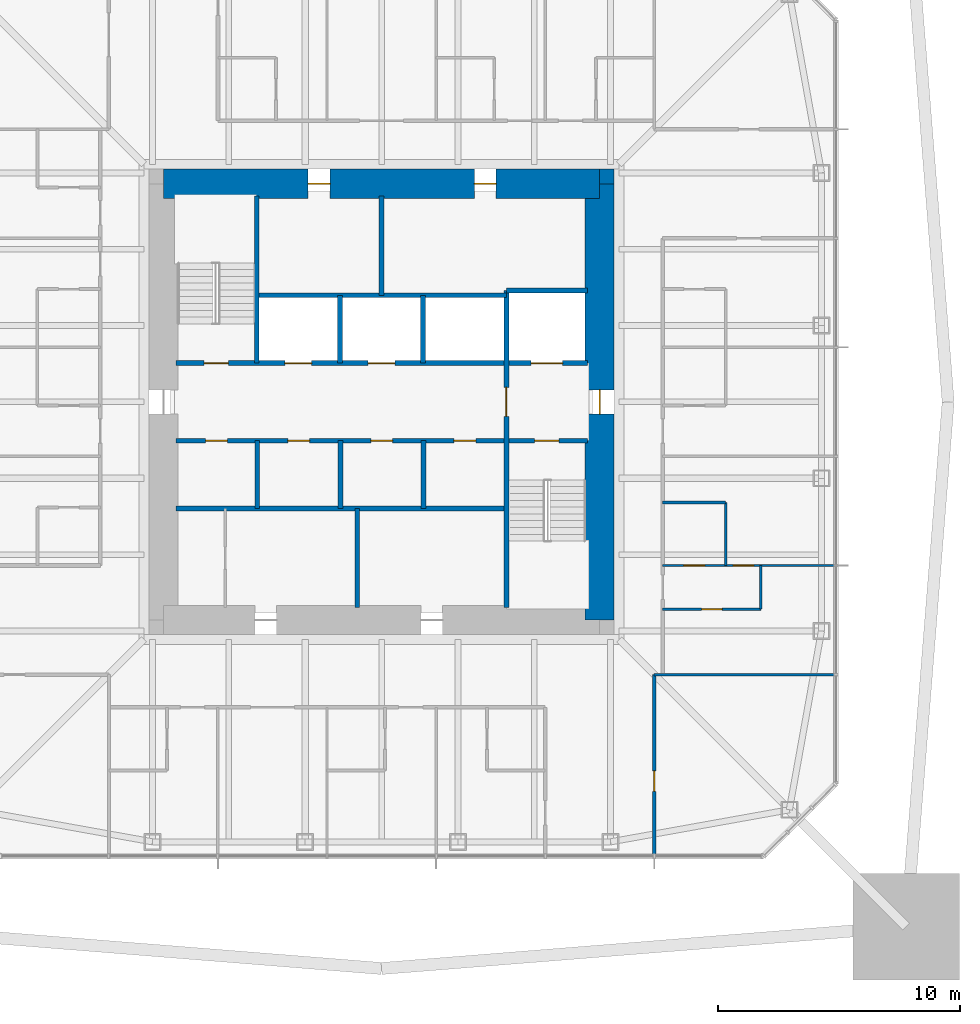
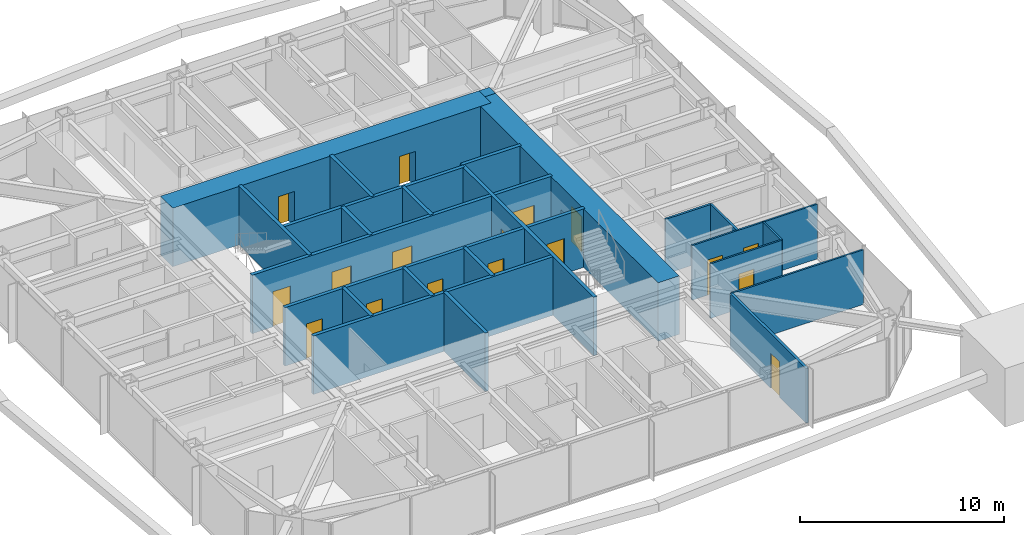
# One storey, part 9 of 13: 24 walls, 17 doors, 17 openings.
"""IFC4 building model written with IfcOpenShell, lengths in metres."""

import ifcopenshell
import ifcopenshell.guid

model = None  # the IFC model being written
_history = None  # IfcOwnerHistory: only IFC2X3 demands one
_inside = {}  # id of a spatial element -> (the spatial element, [elements in it])
_under = {}  # id of a project, library or spatial element -> (it, [spatial elements below it])
_declared = {}  # id of a project -> (the project, [libraries it declares])
_typed = {}  # id of a type object -> (the type object, [elements of that type])
_made_of = {}  # id of a material, layer set ... -> (it, [elements and type objects made of it])


def new_model(schema):
    """Start an empty IFC model of exactly this schema.

    Asked for "IFC4X3", IfcOpenShell would pick the latest addendum, in which some entities
    have other attributes; the version numbers below select the first issue.
    IFC2X3 requires an IfcOwnerHistory on every rooted entity: one is made here for all.
    """
    global model, _history
    if schema == "IFC4X3":
        model = ifcopenshell.file(schema_version=(4, 3, 0, 0))
    else:
        model = ifcopenshell.file(schema=schema)
    _inside.clear()
    _under.clear()
    _declared.clear()
    _typed.clear()
    _made_of.clear()
    _history = None
    if model.schema == "IFC2X3":
        org = make("IfcOrganization", Name="unknown")
        user = make(
            "IfcPersonAndOrganization",
            ThePerson=make("IfcPerson", FamilyName="unknown"),
            TheOrganization=org,
        )
        app = make(
            "IfcApplication",
            ApplicationDeveloper=org,
            Version="unknown",
            ApplicationFullName="unknown",
            ApplicationIdentifier="unknown",
        )
        _history = make(
            "IfcOwnerHistory",
            OwningUser=user,
            OwningApplication=app,
            ChangeAction="ADDED",
            CreationDate=0,
        )
    return model


def make(cls, **values):
    """One entity of the class cls with the attributes given. An attribute that is None is left unset."""
    return model.create_entity(
        cls, **{name: value for name, value in values.items() if value is not None}
    )


def rooted(cls, **values):
    """An entity with a GlobalId (a new one), such as an element, a storey or a relation."""
    return make(cls, GlobalId=ifcopenshell.guid.new(), OwnerHistory=_history, **values)


def si_unit(unit_type, name, prefix=None):
    """IfcSIUnit, for example si_unit("LENGTHUNIT", "METRE", prefix="MILLI")."""
    return make("IfcSIUnit", UnitType=unit_type, Prefix=prefix, Name=name)


def assignment(units):
    """IfcUnitAssignment: the units of a project."""
    return None if units is None else make("IfcUnitAssignment", Units=units)


def point(xyz):
    """IfcCartesianPoint."""
    return None if xyz is None else make("IfcCartesianPoint", Coordinates=xyz)


def direction(xyz):
    """IfcDirection."""
    return None if xyz is None else make("IfcDirection", DirectionRatios=xyz)


def frame(location, z_axis=None, x_axis=None):
    """IfcAxis2Placement3D, a coordinate frame: its origin and axes. An axis left out is left unset."""
    return make(
        "IfcAxis2Placement3D",
        Location=point(location),
        Axis=direction(z_axis),
        RefDirection=direction(x_axis),
    )


def frame_2d(location, x_axis=None):
    """IfcAxis2Placement2D, a coordinate frame in the plane: its origin and x axis."""
    return make(
        "IfcAxis2Placement2D", Location=point(location), RefDirection=direction(x_axis)
    )


def origin():
    """The frame at (0, 0, 0) with its axes left unset."""
    return frame((0.0, 0.0, 0.0))


def place(relative_to, where):
    """IfcLocalPlacement: puts the frame where relative to a parent placement (None: the world)."""
    return make(
        "IfcLocalPlacement", PlacementRelTo=relative_to, RelativePlacement=where
    )


def context(
    kind, dimensions, precision=None, world=None, true_north=None, identifier=None
):
    """IfcGeometricRepresentationContext, for example the 3D "Model" context."""
    return make(
        "IfcGeometricRepresentationContext",
        ContextIdentifier=identifier,
        ContextType=kind,
        CoordinateSpaceDimension=dimensions,
        Precision=precision,
        WorldCoordinateSystem=world,
        TrueNorth=true_north,
    )


def subcontext(parent, identifier, kind, view, scale=None):
    """IfcGeometricRepresentationSubContext, for example "Body" below "Model"."""
    return make(
        "IfcGeometricRepresentationSubContext",
        ContextIdentifier=identifier,
        ContextType=kind,
        ParentContext=parent,
        TargetScale=scale,
        TargetView=view,
    )


def project(units=None, contexts=None):
    """IfcProject with its units and contexts."""
    return rooted(
        "IfcProject",
        Name="project",
        RepresentationContexts=contexts,
        UnitsInContext=assignment(units),
    )


def spatial(cls, under=None, at=None, **own):
    """A site, building, storey or space (cls), placed at a placement, below another one or the project."""
    s = rooted(cls, ObjectPlacement=at, **own)
    if under is not None:
        _under.setdefault(under.id(), (under, []))[1].append(s)
    return s


def profile(cls, at=None, kind="AREA", **sizes):
    """A parametric profile (cls). Its sizes go by their IFC names, for example OverallWidth=200.0."""
    return make(cls, ProfileType=kind, Position=at, **sizes)


def rectangle(**sizes):
    """IfcRectangleProfileDef."""
    return profile("IfcRectangleProfileDef", **sizes)


def extrude(swept, where, along, depth):
    """IfcExtrudedAreaSolid: the profile swept, set in the frame where, extruded along a direction by depth."""
    return make(
        "IfcExtrudedAreaSolid",
        SweptArea=swept,
        Position=where,
        ExtrudedDirection=direction(along),
        Depth=depth,
    )


def shape(context_of_items, identifier, shape_type, items):
    """IfcShapeRepresentation: the items that make up one representation, for example the "Body"."""
    return make(
        "IfcShapeRepresentation",
        ContextOfItems=context_of_items,
        RepresentationIdentifier=identifier,
        RepresentationType=shape_type,
        Items=items,
    )


def material(Name=None, Category=None):
    """IfcMaterial."""
    return make("IfcMaterial", Name=Name, Category=Category)


def layer(
    of_material, thickness, ventilated=None, Name=None, Category=None, Priority=None
):
    """IfcMaterialLayer: one layer of a wall or slab, of a material (None: an air gap)."""
    return make(
        "IfcMaterialLayer",
        Material=of_material,
        LayerThickness=thickness,
        IsVentilated=ventilated,
        Name=Name,
        Category=Category,
        Priority=Priority,
    )


def layer_set(layers, Name=None):
    """IfcMaterialLayerSet."""
    return make("IfcMaterialLayerSet", MaterialLayers=layers, LayerSetName=Name)


def made_of(thing, what):
    """Note that an element or type object is made of a material, layer set ...; save() writes the relation."""
    if what is not None:
        _made_of.setdefault(what.id(), (what, []))[1].append(thing)
    return thing


def type_object(cls, material=None, **own):
    """A type object (cls), such as IfcWallType, which elements share."""
    return made_of(rooted(cls, **own), material)


def element(
    cls,
    number,
    at=None,
    inside=None,
    cuts=None,
    type_object=None,
    material=None,
    context=None,
    identifier="Body",
    shape_type=None,
    held_by="IfcProductDefinitionShape",
    body=None,
    shapes=None,
    **own,
):
    """One element of the class cls, such as IfcWall. Its Tag is "e" and its number.

    at: its placement. inside: the storey or other place that contains it. cuts: it is an
    opening in that element (IfcRelVoidsElement). A single representation is given by context,
    identifier, shape_type and body (its items); several are given by shapes. held_by: the class
    of the entity that holds the representations. save() writes the other relations.
    """
    e = rooted(cls, Tag="e%d" % number, ObjectPlacement=at, **own)
    if body is not None:
        shapes = [shape(context, identifier, shape_type, body)]
    if shapes is not None:
        e.Representation = make(held_by, Representations=shapes)
    if inside is not None:
        _inside.setdefault(inside.id(), (inside, []))[1].append(e)
    if cuts is not None:
        rooted(
            "IfcRelVoidsElement", RelatingBuildingElement=cuts, RelatedOpeningElement=e
        )
    if type_object is not None:
        _typed.setdefault(type_object.id(), (type_object, []))[1].append(e)
    return made_of(e, material)


def fill(opening, filler):
    """IfcRelFillsElement: the door or window that sits in an opening."""
    return rooted(
        "IfcRelFillsElement",
        RelatingOpeningElement=opening,
        RelatedBuildingElement=filler,
    )


def aggregate(whole, parts):
    """IfcRelAggregates: a whole, such as a stair, and the parts it consists of."""
    return rooted("IfcRelAggregates", RelatingObject=whole, RelatedObjects=parts)


def save(model, path):
    """Write the relations noted so far, then the file.

    IfcRelAggregates (storeys below a building ...), IfcRelContainedInSpatialStructure (elements
    in a storey), IfcRelDefinesByType, IfcRelAssociatesMaterial and IfcRelDeclares: one each for
    every whole, place, type object, material and project.
    """
    for whole, parts in _under.values():
        aggregate(whole, parts)
    for where, things in _inside.values():
        rooted(
            "IfcRelContainedInSpatialStructure",
            RelatedElements=things,
            RelatingStructure=where,
        )
    for kind, things in _typed.values():
        rooted("IfcRelDefinesByType", RelatedObjects=things, RelatingType=kind)
    for what, things in _made_of.values():
        rooted("IfcRelAssociatesMaterial", RelatedObjects=things, RelatingMaterial=what)
    for by, libraries in _declared.values():
        rooted("IfcRelDeclares", RelatingContext=by, RelatedDefinitions=libraries)
    model.write(path)


model = new_model("IFC4")

# Units and contexts
model_context = context("Model", 3, precision=1e-05, world=origin(), true_north=direction((0.0, 1.0)))
body_context = subcontext(model_context, "Body", "Model", "MODEL_VIEW")
ifc_project = project(units=[si_unit("LENGTHUNIT", "METRE"), si_unit("AREAUNIT", "SQUARE_METRE"), si_unit("VOLUMEUNIT", "CUBIC_METRE"), si_unit("PLANEANGLEUNIT", "RADIAN"), si_unit("MASSUNIT", "GRAM", prefix="KILO")], contexts=[model_context])

# Site, building, storey
site_placement = place(None, origin())
site = spatial("IfcSite", under=ifc_project, at=site_placement, CompositionType="ELEMENT")
building_placement = place(site_placement, origin())
building = spatial("IfcBuilding", under=site, at=building_placement, Name="Iwan Alto Co-Living Towers", CompositionType="ELEMENT")
storey_placement = place(building_placement, frame((0.0, 0.0, 160.0)))
storey = spatial("IfcBuildingStorey", under=building, at=storey_placement, Name="L43", CompositionType="ELEMENT", Elevation=160.0)

# Wall, opening, door
ifc_material_1 = material(Name="Gypsum board")
ifc_layer_1 = layer(ifc_material_1, 0.02490234375, Name="Board", Category="Finish")
ifc_material_2 = material(Name="Steel ASTM A1003 ST33H cold-formed studs", Category="steel")
ifc_layer_2 = layer(ifc_material_2, 0.10009765625, Name="Studs", Category="Framing")
ifc_layer_3 = layer(ifc_material_1, 0.02490234375, Name="Board", Category="Finish")
ifc_layer_set_1 = layer_set([ifc_layer_1, ifc_layer_2, ifc_layer_3], Name="CORRIDOR WALL 150")
wall_type_1 = type_object("IfcWallType", Name="CORRIDOR WALL 150", PredefinedType="PARTITIONING", material=ifc_layer_set_1)
wall_1_placement = place(storey_placement, frame((11.25, -18.68994140625, 0.0), z_axis=(0.0, 0.0, 1.0), x_axis=(0.0, 1.0, 0.0)))
wall_1 = element("IfcWall", 1, at=wall_1_placement, inside=storey, type_object=wall_type_1, Name="Partition L43", PredefinedType="PARTITIONING", context=body_context, shape_type="SweptSolid", body=[
    extrude(rectangle(XDim=7.43994140625, YDim=0.14990234375, at=frame_2d((3.719970703125, 0.0))), origin(), (0.0, 0.0, 1.0), 3.27001953125),
])
opening_1_placement = place(wall_1_placement, frame((2.6201171875, 0.0, 0.0)))
opening_1 = element("IfcOpeningElement", 2, at=opening_1_placement, cuts=wall_1, Name="Opening D2", PredefinedType="OPENING", context=body_context, shape_type="SweptSolid", body=[
    extrude(rectangle(XDim=0.85009765625, YDim=2.10009765625, at=frame_2d((0.425048828125, 1.050048828125))), frame((0.0, 0.0849609375, 0.0), z_axis=(0.0, -1.0, 0.0), x_axis=(1.0, 0.0, 0.0)), (0.0, 0.0, 1.0), 0.169921875),
])
ifc_material_3 = material(Name="Timber leaf in steel frame", Category="steel")
door_type_1 = type_object("IfcDoorType", Name="ROOM DOOR 850X2100", OperationType="SINGLE_SWING_LEFT", PredefinedType="DOOR", material=ifc_material_3)
door_1_placement = place(opening_1_placement, frame((0.85009765625, 0.0, 0.0), z_axis=(0.0, 0.0, 1.0), x_axis=(-1.0, 0.0, 0.0)))
door_1 = element("IfcDoor", 3, at=door_1_placement, inside=storey, type_object=door_type_1, Name="Shared kitchen and lounge door L43", OperationType="SINGLE_SWING_RIGHT", OverallHeight=2.10009765625, OverallWidth=0.85009765625, PredefinedType="DOOR", context=body_context, shape_type="SweptSolid", body=[
    extrude(rectangle(XDim=0.85009765625, YDim=2.10009765625, at=frame_2d((0.425048828125, 1.050048828125))), frame((0.0, 0.02490234375, 0.0), z_axis=(0.0, -1.0, 0.0), x_axis=(1.0, 0.0, 0.0)), (0.0, 0.0, 1.0), 0.050048828125),
])
fill(opening_1, door_1)

# Wall
ifc_layer_4 = layer(ifc_material_1, 0.012451171875, Name="Board", Category="Finish")
ifc_layer_5 = layer(ifc_material_2, 0.074951171875, Name="Studs", Category="Framing")
ifc_layer_6 = layer(ifc_material_1, 0.012451171875, Name="Board", Category="Finish")
ifc_layer_set_2 = layer_set([ifc_layer_4, ifc_layer_5, ifc_layer_6], Name="PARTITION 100")
wall_type_2 = type_object("IfcWallType", Name="PARTITION 100", PredefinedType="PARTITIONING", material=ifc_layer_set_2)
wall_2_placement = place(storey_placement, frame((11.25, -11.25, 0.0), z_axis=(0.0, 0.0, 1.0), x_axis=(1.0, 0.0, 0.0)))
element("IfcWall", 4, at=wall_2_placement, inside=storey, type_object=wall_type_2, Name="Partition L43", PredefinedType="PARTITIONING", context=body_context, shape_type="SweptSolid", body=[
    extrude(rectangle(XDim=7.43994140625, YDim=0.10009765625, at=frame_2d((3.719970703125, 0.0))), origin(), (0.0, 0.0, 1.0), 3.27001953125),
])

# Wall, opening, door
wall_3_placement = place(storey_placement, frame((11.60009765625, -8.550048828125, 0.0), z_axis=(0.0, 0.0, 1.0), x_axis=(1.0, 0.0, 0.0)))
wall_3 = element("IfcWall", 5, at=wall_3_placement, inside=storey, type_object=wall_type_2, Name="Partition L43", PredefinedType="PARTITIONING", context=body_context, shape_type="SweptSolid", body=[
    extrude(rectangle(XDim=4.0498046875, YDim=0.10009765625, at=frame_2d((2.02490234375, 0.0))), origin(), (0.0, 0.0, 1.0), 3.27001953125),
])
opening_2_placement = place(wall_3_placement, frame((1.60009765625, 0.0, 0.0)))
opening_2 = element("IfcOpeningElement", 6, at=opening_2_placement, cuts=wall_3, Name="Opening D2", PredefinedType="OPENING", context=body_context, shape_type="SweptSolid", body=[
    extrude(rectangle(XDim=0.85009765625, YDim=2.10009765625, at=frame_2d((0.425048828125, 1.050048828125))), frame((0.0, 0.06005859375, 0.0), z_axis=(0.0, -1.0, 0.0), x_axis=(1.0, 0.0, 0.0)), (0.0, 0.0, 1.0), 0.1201171875),
])
door_2_placement = place(opening_2_placement, frame((0.85009765625, 0.0, 0.0), z_axis=(0.0, 0.0, 1.0), x_axis=(-1.0, 0.0, 0.0)))
door_2 = element("IfcDoor", 7, at=door_2_placement, inside=storey, type_object=door_type_1, Name="Apartment foyer door L43", OperationType="SINGLE_SWING_RIGHT", OverallHeight=2.10009765625, OverallWidth=0.85009765625, PredefinedType="DOOR", context=body_context, shape_type="SweptSolid", body=[
    extrude(rectangle(XDim=0.85009765625, YDim=2.10009765625, at=frame_2d((0.425048828125, 1.050048828125))), frame((0.0, 0.02490234375, 0.0), z_axis=(0.0, -1.0, 0.0), x_axis=(1.0, 0.0, 0.0)), (0.0, 0.0, 1.0), 0.050048828125),
])
fill(opening_2, door_2)

# Wall, openings, doors
wall_4_placement = place(storey_placement, frame((11.60009765625, -6.75, 0.0), z_axis=(0.0, 0.0, 1.0), x_axis=(1.0, 0.0, 0.0)))
wall_4 = element("IfcWall", 8, at=wall_4_placement, inside=storey, type_object=wall_type_2, Name="Partition L43", PredefinedType="PARTITIONING", context=body_context, shape_type="SweptSolid", body=[
    extrude(rectangle(XDim=7.08984375, YDim=0.10009765625, at=frame_2d((3.544921875, 0.0))), origin(), (0.0, 0.0, 1.0), 3.27001953125),
])
opening_3_placement = place(wall_4_placement, frame((2.89990234375, 0.0, 0.0)))
opening_3 = element("IfcOpeningElement", 9, at=opening_3_placement, cuts=wall_4, Name="Opening D2", PredefinedType="OPENING", context=body_context, shape_type="SweptSolid", body=[
    extrude(rectangle(XDim=0.85009765625, YDim=2.10009765625, at=frame_2d((0.425048828125, 1.050048828125))), frame((0.0, 0.06005859375, 0.0), z_axis=(0.0, -1.0, 0.0), x_axis=(1.0, 0.0, 0.0)), (0.0, 0.0, 1.0), 0.1201171875),
])
opening_4_placement = place(wall_4_placement, frame((0.875, 0.0, 0.0)))
opening_4 = element("IfcOpeningElement", 10, at=opening_4_placement, cuts=wall_4, Name="Opening D2", PredefinedType="OPENING", context=body_context, shape_type="SweptSolid", body=[
    extrude(rectangle(XDim=0.85009765625, YDim=2.10009765625, at=frame_2d((0.425048828125, 1.050048828125))), frame((0.0, 0.06005859375, 0.0), z_axis=(0.0, -1.0, 0.0), x_axis=(1.0, 0.0, 0.0)), (0.0, 0.0, 1.0), 0.1201171875),
])
door_3_placement = place(opening_3_placement, origin())
door_3 = element("IfcDoor", 11, at=door_3_placement, inside=storey, type_object=door_type_1, Name="Bedroom door L43", OperationType="SINGLE_SWING_LEFT", OverallHeight=2.10009765625, OverallWidth=0.85009765625, PredefinedType="DOOR", context=body_context, shape_type="SweptSolid", body=[
    extrude(rectangle(XDim=0.85009765625, YDim=2.10009765625, at=frame_2d((0.425048828125, 1.050048828125))), frame((0.0, 0.02490234375, 0.0), z_axis=(0.0, -1.0, 0.0), x_axis=(1.0, 0.0, 0.0)), (0.0, 0.0, 1.0), 0.050048828125),
])
fill(opening_3, door_3)
door_4_placement = place(opening_4_placement, origin())
door_4 = element("IfcDoor", 12, at=door_4_placement, inside=storey, type_object=door_type_1, Name="Accessible bathroom door L43", OperationType="SINGLE_SWING_LEFT", OverallHeight=2.10009765625, OverallWidth=0.85009765625, PredefinedType="DOOR", context=body_context, shape_type="SweptSolid", body=[
    extrude(rectangle(XDim=0.85009765625, YDim=2.10009765625, at=frame_2d((0.425048828125, 1.050048828125))), frame((0.0, 0.02490234375, 0.0), z_axis=(0.0, -1.0, 0.0), x_axis=(1.0, 0.0, 0.0)), (0.0, 0.0, 1.0), 0.050048828125),
])
fill(opening_4, door_4)

# Walls
wall_5_placement = place(storey_placement, frame((15.64990234375, -8.550048828125, 0.0), z_axis=(0.0, 0.0, 1.0), x_axis=(0.0, 1.0, 0.0)))
element("IfcWall", 13, at=wall_5_placement, inside=storey, type_object=wall_type_2, Name="Partition L43", PredefinedType="PARTITIONING", context=body_context, shape_type="SweptSolid", body=[
    extrude(rectangle(XDim=1.800048828125, YDim=0.10009765625, at=frame_2d((0.89990234375, 0.0))), origin(), (0.0, 0.0, 1.0), 3.27001953125),
])
ifc_material_4 = material(Name="Concrete f'c 70 MPa", Category="concrete")
ifc_layer_7 = layer(ifc_material_4, 0.199951171875)
ifc_layer_set_3 = layer_set([ifc_layer_7], Name="SHAFT WALL 200")
wall_type_3 = type_object("IfcWallType", Name="SHAFT WALL 200", PredefinedType="SOLIDWALL", material=ifc_layer_set_3)
wall_6_placement = place(storey_placement, frame((-8.489990234375, -4.39990234375, 0.0), z_axis=(0.0, 0.0, 1.0), x_axis=(1.0, 0.0, 0.0)))
element("IfcWall", 14, at=wall_6_placement, inside=storey, type_object=wall_type_3, Name="Shaft wall L43", PredefinedType="SOLIDWALL", context=body_context, shape_type="SweptSolid", body=[
    extrude(rectangle(XDim=13.639892578125, YDim=0.199951171875, at=frame_2d((6.81982421875, 0.0))), origin(), (0.0, 0.0, 1.0), 3.5),
])

# Wall, openings, doors
wall_7_placement = place(storey_placement, frame((-8.489990234375, -1.60009765625, 0.0), z_axis=(0.0, 0.0, 1.0), x_axis=(1.0, 0.0, 0.0)))
wall_7 = element("IfcWall", 15, at=wall_7_placement, inside=storey, type_object=wall_type_3, Name="Shaft wall L43", PredefinedType="SOLIDWALL", context=body_context, shape_type="SweptSolid", body=[
    extrude(rectangle(XDim=16.97998046875, YDim=0.199951171875, at=frame_2d((8.489990234375, 0.0))), origin(), (0.0, 0.0, 1.0), 3.5),
])
opening_5_placement = place(wall_7_placement, frame((14.81005859375, 0.0, 0.0)))
opening_5 = element("IfcOpeningElement", 16, at=opening_5_placement, cuts=wall_7, Name="Opening D5", PredefinedType="OPENING", context=body_context, shape_type="SweptSolid", body=[
    extrude(rectangle(XDim=1.0, YDim=2.10009765625, at=frame_2d((0.5, 1.050048828125))), frame((0.0, 0.10986328125, 0.0), z_axis=(0.0, -1.0, 0.0), x_axis=(1.0, 0.0, 0.0)), (0.0, 0.0, 1.0), 0.219970703125),
])
opening_6_placement = place(wall_7_placement, frame((1.23193359375, 0.0, 0.0)))
opening_6 = element("IfcOpeningElement", 17, at=opening_6_placement, cuts=wall_7, Name="Opening D15", PredefinedType="OPENING", context=body_context, shape_type="SweptSolid", body=[
    extrude(rectangle(XDim=0.89990234375, YDim=2.10009765625, at=frame_2d((0.449951171875, 1.050048828125))), frame((0.0, 0.10986328125, 0.0), z_axis=(0.0, -1.0, 0.0), x_axis=(1.0, 0.0, 0.0)), (0.0, 0.0, 1.0), 0.219970703125),
])
opening_7_placement = place(wall_7_placement, frame((4.626953125, 0.0, 0.0)))
opening_7 = element("IfcOpeningElement", 18, at=opening_7_placement, cuts=wall_7, Name="Opening D15", PredefinedType="OPENING", context=body_context, shape_type="SweptSolid", body=[
    extrude(rectangle(XDim=0.89990234375, YDim=2.10009765625, at=frame_2d((0.449951171875, 1.050048828125))), frame((0.0, 0.10986328125, 0.0), z_axis=(0.0, -1.0, 0.0), x_axis=(1.0, 0.0, 0.0)), (0.0, 0.0, 1.0), 0.219970703125),
])
opening_8_placement = place(wall_7_placement, frame((8.052001953125, 0.0, 0.0)))
opening_8 = element("IfcOpeningElement", 19, at=opening_8_placement, cuts=wall_7, Name="Opening D15", PredefinedType="OPENING", context=body_context, shape_type="SweptSolid", body=[
    extrude(rectangle(XDim=0.89990234375, YDim=2.10009765625, at=frame_2d((0.449951171875, 1.050048828125))), frame((0.0, 0.10986328125, 0.0), z_axis=(0.0, -1.0, 0.0), x_axis=(1.0, 0.0, 0.0)), (0.0, 0.0, 1.0), 0.219970703125),
])
opening_9_placement = place(wall_7_placement, frame((11.47802734375, 0.0, 0.0)))
opening_9 = element("IfcOpeningElement", 20, at=opening_9_placement, cuts=wall_7, Name="Opening D15", PredefinedType="OPENING", context=body_context, shape_type="SweptSolid", body=[
    extrude(rectangle(XDim=0.89990234375, YDim=2.10009765625, at=frame_2d((0.449951171875, 1.050048828125))), frame((0.0, 0.10986328125, 0.0), z_axis=(0.0, -1.0, 0.0), x_axis=(1.0, 0.0, 0.0)), (0.0, 0.0, 1.0), 0.219970703125),
])
ifc_material_5 = material(Name="Steel frame with timber leaf", Category="steel")
door_type_2 = type_object("IfcDoorType", Name="CORE ROOM DOOR FD60S 900X2100", OperationType="SINGLE_SWING_LEFT", PredefinedType="DOOR", material=ifc_material_5)
door_5_placement = place(opening_6_placement, frame((0.89990234375, 0.0, 0.0), z_axis=(0.0, 0.0, 1.0), x_axis=(-1.0, 0.0, 0.0)))
door_5 = element("IfcDoor", 21, at=door_5_placement, inside=storey, type_object=door_type_2, Name="Vending and ice room door L43", OperationType="SINGLE_SWING_LEFT", OverallHeight=2.10009765625, OverallWidth=0.89990234375, PredefinedType="DOOR", context=body_context, shape_type="SweptSolid", body=[
    extrude(rectangle(XDim=0.89990234375, YDim=2.10009765625, at=frame_2d((0.449951171875, 1.050048828125))), frame((0.0, 0.02490234375, 0.0), z_axis=(0.0, -1.0, 0.0), x_axis=(1.0, 0.0, 0.0)), (0.0, 0.0, 1.0), 0.050048828125),
])
fill(opening_6, door_5)
door_6_placement = place(opening_7_placement, frame((0.89990234375, 0.0, 0.0), z_axis=(0.0, 0.0, 1.0), x_axis=(-1.0, 0.0, 0.0)))
door_6 = element("IfcDoor", 22, at=door_6_placement, inside=storey, type_object=door_type_2, Name="Linen store door L43", OperationType="SINGLE_SWING_RIGHT", OverallHeight=2.10009765625, OverallWidth=0.89990234375, PredefinedType="DOOR", context=body_context, shape_type="SweptSolid", body=[
    extrude(rectangle(XDim=0.89990234375, YDim=2.10009765625, at=frame_2d((0.449951171875, 1.050048828125))), frame((0.0, 0.02490234375, 0.0), z_axis=(0.0, -1.0, 0.0), x_axis=(1.0, 0.0, 0.0)), (0.0, 0.0, 1.0), 0.050048828125),
])
fill(opening_7, door_6)
door_7_placement = place(opening_8_placement, frame((0.89990234375, 0.0, 0.0), z_axis=(0.0, 0.0, 1.0), x_axis=(-1.0, 0.0, 0.0)))
door_7 = element("IfcDoor", 23, at=door_7_placement, inside=storey, type_object=door_type_2, Name="Linen and housekeeping store door L43", OperationType="SINGLE_SWING_RIGHT", OverallHeight=2.10009765625, OverallWidth=0.89990234375, PredefinedType="DOOR", context=body_context, shape_type="SweptSolid", body=[
    extrude(rectangle(XDim=0.89990234375, YDim=2.10009765625, at=frame_2d((0.449951171875, 1.050048828125))), frame((0.0, 0.02490234375, 0.0), z_axis=(0.0, -1.0, 0.0), x_axis=(1.0, 0.0, 0.0)), (0.0, 0.0, 1.0), 0.050048828125),
])
fill(opening_8, door_7)
door_8_placement = place(opening_9_placement, frame((0.89990234375, 0.0, 0.0), z_axis=(0.0, 0.0, 1.0), x_axis=(-1.0, 0.0, 0.0)))
door_8 = element("IfcDoor", 24, at=door_8_placement, inside=storey, type_object=door_type_2, Name="Staff WC door L43", OperationType="SINGLE_SWING_RIGHT", OverallHeight=2.10009765625, OverallWidth=0.89990234375, PredefinedType="DOOR", context=body_context, shape_type="SweptSolid", body=[
    extrude(rectangle(XDim=0.89990234375, YDim=2.10009765625, at=frame_2d((0.449951171875, 1.050048828125))), frame((0.0, 0.02490234375, 0.0), z_axis=(0.0, -1.0, 0.0), x_axis=(1.0, 0.0, 0.0)), (0.0, 0.0, 1.0), 0.050048828125),
])
fill(opening_9, door_8)
ifc_material_6 = material(Name="Steel frame with timber leaf", Category="steel")
door_type_3 = type_object("IfcDoorType", Name="STAIR DOOR FD120S 1000X2100", OperationType="SINGLE_SWING_LEFT", PredefinedType="DOOR", material=ifc_material_6)
door_9_placement = place(opening_5_placement, frame((1.0, 0.0, 0.0), z_axis=(0.0, 0.0, 1.0), x_axis=(-1.0, 0.0, 0.0)))
door_9 = element("IfcDoor", 25, at=door_9_placement, inside=storey, type_object=door_type_3, Name="Stair S2 door L43", OperationType="SINGLE_SWING_RIGHT", OverallHeight=2.10009765625, OverallWidth=1.0, PredefinedType="DOOR", context=body_context, shape_type="SweptSolid", body=[
    extrude(rectangle(XDim=1.0, YDim=2.10009765625, at=frame_2d((0.5, 1.050048828125))), frame((0.0, 0.02490234375, 0.0), z_axis=(0.0, -1.0, 0.0), x_axis=(1.0, 0.0, 0.0)), (0.0, 0.0, 1.0), 0.050048828125),
])
fill(opening_5, door_9)

wall_8_placement = place(storey_placement, frame((-8.489990234375, 1.60009765625, 0.0), z_axis=(0.0, 0.0, 1.0), x_axis=(1.0, 0.0, 0.0)))
wall_8 = element("IfcWall", 26, at=wall_8_placement, inside=storey, type_object=wall_type_3, Name="Shaft wall L43", PredefinedType="SOLIDWALL", context=body_context, shape_type="SweptSolid", body=[
    extrude(rectangle(XDim=16.97998046875, YDim=0.199951171875, at=frame_2d((8.489990234375, 0.0))), origin(), (0.0, 0.0, 1.0), 3.5),
])
opening_10_placement = place(wall_8_placement, frame((1.169921875, 0.0, 0.0)))
opening_10 = element("IfcOpeningElement", 27, at=opening_10_placement, cuts=wall_8, Name="Opening D5", PredefinedType="OPENING", context=body_context, shape_type="SweptSolid", body=[
    extrude(rectangle(XDim=1.0, YDim=2.10009765625, at=frame_2d((0.5, 1.050048828125))), frame((0.0, 0.10986328125, 0.0), z_axis=(0.0, -1.0, 0.0), x_axis=(1.0, 0.0, 0.0)), (0.0, 0.0, 1.0), 0.219970703125),
])
opening_11_placement = place(wall_8_placement, frame((4.506103515625, 0.0, 0.0)))
opening_11 = element("IfcOpeningElement", 28, at=opening_11_placement, cuts=wall_8, Name="Opening LD", PredefinedType="OPENING", context=body_context, shape_type="SweptSolid", body=[
    extrude(rectangle(XDim=1.10009765625, YDim=2.10009765625, at=frame_2d((0.550048828125, 1.050048828125))), frame((0.0, 0.10986328125, 0.0), z_axis=(0.0, -1.0, 0.0), x_axis=(1.0, 0.0, 0.0)), (0.0, 0.0, 1.0), 0.219970703125),
])
opening_12_placement = place(wall_8_placement, frame((7.93994140625, 0.0, 0.0)))
opening_12 = element("IfcOpeningElement", 29, at=opening_12_placement, cuts=wall_8, Name="Opening LD", PredefinedType="OPENING", context=body_context, shape_type="SweptSolid", body=[
    extrude(rectangle(XDim=1.10009765625, YDim=2.10009765625, at=frame_2d((0.550048828125, 1.050048828125))), frame((0.0, 0.10986328125, 0.0), z_axis=(0.0, -1.0, 0.0), x_axis=(1.0, 0.0, 0.0)), (0.0, 0.0, 1.0), 0.219970703125),
])
opening_13_placement = place(wall_8_placement, frame((14.659912109375, 0.0, 0.0)))
opening_13 = element("IfcOpeningElement", 30, at=opening_13_placement, cuts=wall_8, Name="Opening LD2", PredefinedType="OPENING", context=body_context, shape_type="SweptSolid", body=[
    extrude(rectangle(XDim=1.300048828125, YDim=2.10009765625, at=frame_2d((0.64990234375, 1.050048828125))), frame((0.0, 0.10986328125, 0.0), z_axis=(0.0, -1.0, 0.0), x_axis=(1.0, 0.0, 0.0)), (0.0, 0.0, 1.0), 0.219970703125),
])
ifc_material_7 = material(Name="Steel frame with timber leaf", Category="steel")
door_type_4 = type_object("IfcDoorType", Name="LIFT LANDING DOOR 1100X2100", OperationType="DOUBLE_DOOR_SLIDING", PredefinedType="DOOR", material=ifc_material_7)
door_10_placement = place(opening_11_placement, origin())
door_10 = element("IfcDoor", 31, at=door_10_placement, inside=storey, type_object=door_type_4, Name="Lift P3-1 landing door L43", OperationType="DOUBLE_DOOR_SLIDING", OverallHeight=2.10009765625, OverallWidth=1.10009765625, PredefinedType="DOOR", context=body_context, shape_type="SweptSolid", body=[
    extrude(rectangle(XDim=1.10009765625, YDim=2.10009765625, at=frame_2d((0.550048828125, 1.050048828125))), frame((0.0, 0.02490234375, 0.0), z_axis=(0.0, -1.0, 0.0), x_axis=(1.0, 0.0, 0.0)), (0.0, 0.0, 1.0), 0.050048828125),
])
fill(opening_11, door_10)
door_11_placement = place(opening_12_placement, origin())
door_11 = element("IfcDoor", 32, at=door_11_placement, inside=storey, type_object=door_type_4, Name="Lift P3-2 landing door L43", OperationType="DOUBLE_DOOR_SLIDING", OverallHeight=2.10009765625, OverallWidth=1.10009765625, PredefinedType="DOOR", context=body_context, shape_type="SweptSolid", body=[
    extrude(rectangle(XDim=1.10009765625, YDim=2.10009765625, at=frame_2d((0.550048828125, 1.050048828125))), frame((0.0, 0.02490234375, 0.0), z_axis=(0.0, -1.0, 0.0), x_axis=(1.0, 0.0, 0.0)), (0.0, 0.0, 1.0), 0.050048828125),
])
fill(opening_12, door_11)
ifc_material_8 = material(Name="Steel frame with timber leaf", Category="steel")
door_type_5 = type_object("IfcDoorType", Name="LIFT LANDING DOOR 1300X2100", OperationType="SLIDING_TO_LEFT", PredefinedType="DOOR", material=ifc_material_8)
door_12_placement = place(opening_13_placement, origin())
door_12 = element("IfcDoor", 33, at=door_12_placement, inside=storey, type_object=door_type_5, Name="Lift FL1 landing door L43", OperationType="SLIDING_TO_LEFT", OverallHeight=2.10009765625, OverallWidth=1.300048828125, PredefinedType="DOOR", context=body_context, shape_type="SweptSolid", body=[
    extrude(rectangle(XDim=1.300048828125, YDim=2.10009765625, at=frame_2d((0.64990234375, 1.050048828125))), frame((0.0, 0.02490234375, 0.0), z_axis=(0.0, -1.0, 0.0), x_axis=(1.0, 0.0, 0.0)), (0.0, 0.0, 1.0), 0.050048828125),
])
fill(opening_13, door_12)
door_13_placement = place(opening_10_placement, origin())
door_13 = element("IfcDoor", 34, at=door_13_placement, inside=storey, type_object=door_type_3, Name="Stair S1 door L43", OperationType="SINGLE_SWING_RIGHT", OverallHeight=2.10009765625, OverallWidth=1.0, PredefinedType="DOOR", context=body_context, shape_type="SweptSolid", body=[
    extrude(rectangle(XDim=1.0, YDim=2.10009765625, at=frame_2d((0.5, 1.050048828125))), frame((0.0, 0.02490234375, 0.0), z_axis=(0.0, -1.0, 0.0), x_axis=(1.0, 0.0, 0.0)), (0.0, 0.0, 1.0), 0.050048828125),
])
fill(opening_10, door_13)

# Walls
wall_9_placement = place(storey_placement, frame((-5.14990234375, 4.39990234375, 0.0), z_axis=(0.0, 0.0, 1.0), x_axis=(1.0, 0.0, 0.0)))
element("IfcWall", 35, at=wall_9_placement, inside=storey, type_object=wall_type_3, Name="Shaft wall L43", PredefinedType="SOLIDWALL", context=body_context, shape_type="SweptSolid", body=[
    extrude(rectangle(XDim=10.2998046875, YDim=0.199951171875, at=frame_2d((5.14990234375, 0.0))), origin(), (0.0, 0.0, 1.0), 3.5),
])
wall_10_placement = place(storey_placement, frame((5.14990234375, 4.60009765625, 0.0), z_axis=(0.0, 0.0, 1.0), x_axis=(1.0, 0.0, 0.0)))
element("IfcWall", 36, at=wall_10_placement, inside=storey, type_object=wall_type_3, Name="Shaft wall L43", PredefinedType="SOLIDWALL", context=body_context, shape_type="SweptSolid", body=[
    extrude(rectangle(XDim=3.340087890625, YDim=0.199951171875, at=frame_2d((1.669921875, 0.0))), origin(), (0.0, 0.0, 1.0), 3.5),
])

# Wall, opening, door
wall_11_placement = place(storey_placement, frame((5.14990234375, -8.489990234375, 0.0), z_axis=(0.0, 0.0, 1.0), x_axis=(0.0, 1.0, 0.0)))
wall_11 = element("IfcWall", 37, at=wall_11_placement, inside=storey, type_object=wall_type_3, Name="Shaft wall L43", PredefinedType="SOLIDWALL", context=body_context, shape_type="SweptSolid", body=[
    extrude(rectangle(XDim=13.090087890625, YDim=0.199951171875, at=frame_2d((6.544921875, 0.0))), origin(), (0.0, 0.0, 1.0), 3.5),
])
opening_14_placement = place(wall_11_placement, frame((7.889892578125, 0.0, 0.0)))
opening_14 = element("IfcOpeningElement", 38, at=opening_14_placement, cuts=wall_11, Name="Opening D6", PredefinedType="OPENING", context=body_context, shape_type="SweptSolid", body=[
    extrude(rectangle(XDim=1.199951171875, YDim=2.10009765625, at=frame_2d((0.60009765625, 1.050048828125))), frame((0.0, 0.10986328125, 0.0), z_axis=(0.0, -1.0, 0.0), x_axis=(1.0, 0.0, 0.0)), (0.0, 0.0, 1.0), 0.219970703125),
])
ifc_material_9 = material(Name="Steel frame with timber leaf", Category="steel")
door_type_6 = type_object("IfcDoorType", Name="LOBBY DOOR FD120S 1200X2100", OperationType="SINGLE_SWING_LEFT", PredefinedType="DOOR", material=ifc_material_9)
door_14_placement = place(opening_14_placement, frame((1.199951171875, 0.0, 0.0), z_axis=(0.0, 0.0, 1.0), x_axis=(-1.0, 0.0, 0.0)))
door_14 = element("IfcDoor", 39, at=door_14_placement, inside=storey, type_object=door_type_6, Name="Firefighting lobby door L43", OperationType="SINGLE_SWING_RIGHT", OverallHeight=2.10009765625, OverallWidth=1.199951171875, PredefinedType="DOOR", context=body_context, shape_type="SweptSolid", body=[
    extrude(rectangle(XDim=1.199951171875, YDim=2.10009765625, at=frame_2d((0.60009765625, 1.050048828125))), frame((0.0, 0.02490234375, 0.0), z_axis=(0.0, -1.0, 0.0), x_axis=(1.0, 0.0, 0.0)), (0.0, 0.0, 1.0), 0.050048828125),
])
fill(opening_14, door_14)

# Walls
for number, where, z_axis, x_axis, name in (
    (40, (1.72509765625, -4.39990234375, 0.0), (0.0, 0.0, 1.0), (0.0, 1.0, 0.0), "Shaft wall L43"),
    (41, (1.717041015625, 1.60009765625, 0.0), (0.0, 0.0, 1.0), (0.0, 1.0, 0.0), "Shaft wall L43"),
):
    element("IfcWall", number, at=place(storey_placement, frame(where, z_axis=z_axis, x_axis=x_axis)), inside=storey, type_object=wall_type_3, Name=name, PredefinedType="SOLIDWALL", context=body_context, shape_type="SweptSolid", body=[
        extrude(rectangle(XDim=2.7998046875, YDim=0.199951171875, at=frame_2d((1.39990234375, 0.0))), origin(), (0.0, 0.0, 1.0), 3.5),
    ])
for number, where, z_axis, x_axis, name in (
    (42, (0.0, 4.39990234375, 0.0), (0.0, 0.0, 1.0), (0.0, 1.0, 0.0), "Shaft wall L43"),
    (43, (-1.0, -8.489990234375, 0.0), (0.0, 0.0, 1.0), (0.0, 1.0, 0.0), "Shaft wall L43"),
):
    element("IfcWall", number, at=place(storey_placement, frame(where, z_axis=z_axis, x_axis=x_axis)), inside=storey, type_object=wall_type_3, Name=name, PredefinedType="SOLIDWALL", context=body_context, shape_type="SweptSolid", body=[
        extrude(rectangle(XDim=4.090087890625, YDim=0.199951171875, at=frame_2d((2.044921875, 0.0))), origin(), (0.0, 0.0, 1.0), 3.5),
    ])
for number, where, z_axis, x_axis, name in (
    (44, (-1.699951171875, -4.39990234375, 0.0), (0.0, 0.0, 1.0), (0.0, 1.0, 0.0), "Shaft wall L43"),
    (45, (-1.717041015625, 1.60009765625, 0.0), (0.0, 0.0, 1.0), (0.0, 1.0, 0.0), "Shaft wall L43"),
    (46, (-5.125, -4.39990234375, 0.0), (0.0, 0.0, 1.0), (0.0, 1.0, 0.0), "Shaft wall L43"),
):
    element("IfcWall", number, at=place(storey_placement, frame(where, z_axis=z_axis, x_axis=x_axis)), inside=storey, type_object=wall_type_3, Name=name, PredefinedType="SOLIDWALL", context=body_context, shape_type="SweptSolid", body=[
        extrude(rectangle(XDim=2.7998046875, YDim=0.199951171875, at=frame_2d((1.39990234375, 0.0))), origin(), (0.0, 0.0, 1.0), 3.5),
    ])
wall_12_placement = place(storey_placement, frame((-5.14990234375, 1.60009765625, 0.0), z_axis=(0.0, 0.0, 1.0), x_axis=(0.0, 1.0, 0.0)))
element("IfcWall", 47, at=wall_12_placement, inside=storey, type_object=wall_type_3, Name="Shaft wall L43", PredefinedType="SOLIDWALL", context=body_context, shape_type="SweptSolid", body=[
    extrude(rectangle(XDim=6.889892578125, YDim=0.199951171875, at=frame_2d((3.44482421875, 0.0))), origin(), (0.0, 0.0, 1.0), 3.5),
])
ifc_material_10 = material(Name="Concrete f'c 70 MPa", Category="concrete")
ifc_layer_8 = layer(ifc_material_10, 0.60009765625)
ifc_layer_set_4 = layer_set([ifc_layer_8], Name="T1 CORE CORNER FILL 600")
wall_type_4 = type_object("IfcWallType", Name="T1 CORE CORNER FILL 600", PredefinedType="SOLIDWALL", material=ifc_layer_set_4)
wall_13_placement = place(storey_placement, frame((9.0, 9.300048828125, 0.0), z_axis=(0.0, 0.0, 1.0), x_axis=(1.0, 0.0, 0.0)))
element("IfcWall", 48, at=wall_13_placement, inside=storey, type_object=wall_type_4, Name="T1 core corner NE L43", PredefinedType="SOLIDWALL", context=body_context, shape_type="SweptSolid", body=[
    extrude(rectangle(XDim=0.60009765625, YDim=0.60009765625, at=frame_2d((0.300048828125, 0.0))), origin(), (0.0, 0.0, 1.0), 3.5),
])

# Wall, openings, doors
ifc_material_11 = material(Name="Concrete f'c 70 MPa", Category="concrete")
ifc_layer_9 = layer(ifc_material_11, 1.199951171875)
ifc_layer_set_5 = layer_set([ifc_layer_9], Name="T1 CORE WALL 1200")
wall_type_5 = type_object("IfcWallType", Name="T1 CORE WALL 1200", PredefinedType="SHEAR", material=ifc_layer_set_5)
wall_14_placement = place(storey_placement, frame((9.0, 9.0, 0.0), z_axis=(0.0, 0.0, 1.0), x_axis=(-1.0, 0.0, 0.0)))
wall_14 = element("IfcWall", 49, at=wall_14_placement, inside=storey, type_object=wall_type_5, Name="T1 core wall N L43", PredefinedType="SHEAR", context=body_context, shape_type="SweptSolid", body=[
    extrude(rectangle(XDim=18.0, YDim=1.199951171875, at=frame_2d((9.0, 0.0))), origin(), (0.0, 0.0, 1.0), 3.5),
])
opening_15_placement = place(wall_14_placement, frame((11.125, 0.0, 0.0)))
opening_15 = element("IfcOpeningElement", 50, at=opening_15_placement, cuts=wall_14, Name="Opening D8", PredefinedType="OPENING", context=body_context, shape_type="SweptSolid", body=[
    extrude(rectangle(XDim=0.89990234375, YDim=2.10009765625, at=frame_2d((0.449951171875, 1.050048828125))), frame((0.0, 0.60986328125, 0.0), z_axis=(0.0, -1.0, 0.0), x_axis=(1.0, 0.0, 0.0)), (0.0, 0.0, 1.0), 1.219970703125),
])
opening_16_placement = place(wall_14_placement, frame((4.27490234375, 0.0, 0.0)))
opening_16 = element("IfcOpeningElement", 51, at=opening_16_placement, cuts=wall_14, Name="Opening D8", PredefinedType="OPENING", context=body_context, shape_type="SweptSolid", body=[
    extrude(rectangle(XDim=0.89990234375, YDim=2.10009765625, at=frame_2d((0.449951171875, 1.050048828125))), frame((0.0, 0.60986328125, 0.0), z_axis=(0.0, -1.0, 0.0), x_axis=(1.0, 0.0, 0.0)), (0.0, 0.0, 1.0), 1.219970703125),
])
ifc_material_12 = material(Name="Steel frame with timber leaf", Category="steel")
door_type_7 = type_object("IfcDoorType", Name="RISER DOOR FD120 900X2100", OperationType="SINGLE_SWING_LEFT", PredefinedType="DOOR", material=ifc_material_12)
door_15_placement = place(opening_15_placement, origin())
door_15 = element("IfcDoor", 52, at=door_15_placement, inside=storey, type_object=door_type_7, Name="Electrical riser core door L43", OperationType="SINGLE_SWING_RIGHT", OverallHeight=2.10009765625, OverallWidth=0.89990234375, PredefinedType="DOOR", context=body_context, shape_type="SweptSolid", body=[
    extrude(rectangle(XDim=0.89990234375, YDim=2.10009765625, at=frame_2d((0.449951171875, 1.050048828125))), frame((0.0, 0.02490234375, 0.0), z_axis=(0.0, -1.0, 0.0), x_axis=(1.0, 0.0, 0.0)), (0.0, 0.0, 1.0), 0.050048828125),
])
fill(opening_15, door_15)
door_16_placement = place(opening_16_placement, origin())
door_16 = element("IfcDoor", 53, at=door_16_placement, inside=storey, type_object=door_type_7, Name="Water and drainage riser core door L43", OperationType="SINGLE_SWING_RIGHT", OverallHeight=2.10009765625, OverallWidth=0.89990234375, PredefinedType="DOOR", context=body_context, shape_type="SweptSolid", body=[
    extrude(rectangle(XDim=0.89990234375, YDim=2.10009765625, at=frame_2d((0.449951171875, 1.050048828125))), frame((0.0, 0.02490234375, 0.0), z_axis=(0.0, -1.0, 0.0), x_axis=(1.0, 0.0, 0.0)), (0.0, 0.0, 1.0), 0.050048828125),
])
fill(opening_16, door_16)

# Wall, opening, door
wall_15_placement = place(storey_placement, frame((9.0, -9.0, 0.0), z_axis=(0.0, 0.0, 1.0), x_axis=(0.0, 1.0, 0.0)))
wall_15 = element("IfcWall", 54, at=wall_15_placement, inside=storey, type_object=wall_type_5, Name="T1 core wall E L43", PredefinedType="SHEAR", context=body_context, shape_type="SweptSolid", body=[
    extrude(rectangle(XDim=18.0, YDim=1.199951171875, at=frame_2d((9.0, 0.0))), origin(), (0.0, 0.0, 1.0), 3.5),
])
opening_17_placement = place(wall_15_placement, frame((8.5, 0.0, 0.0)))
opening_17 = element("IfcOpeningElement", 55, at=opening_17_placement, cuts=wall_15, Name="Opening D7", PredefinedType="OPENING", context=body_context, shape_type="SweptSolid", body=[
    extrude(rectangle(XDim=1.0, YDim=2.10009765625, at=frame_2d((0.5, 1.050048828125))), frame((0.0, 0.60986328125, 0.0), z_axis=(0.0, -1.0, 0.0), x_axis=(1.0, 0.0, 0.0)), (0.0, 0.0, 1.0), 1.219970703125),
])
ifc_material_13 = material(Name="Steel frame with timber leaf", Category="steel")
door_type_8 = type_object("IfcDoorType", Name="CORE DOOR FD120S 1000X2100", OperationType="SINGLE_SWING_LEFT", PredefinedType="DOOR", material=ifc_material_13)
door_17_placement = place(opening_17_placement, origin())
door_17 = element("IfcDoor", 56, at=door_17_placement, inside=storey, type_object=door_type_8, Name="Firefighting lobby core door L43", OperationType="SINGLE_SWING_LEFT", OverallHeight=2.10009765625, OverallWidth=1.0, PredefinedType="DOOR", context=body_context, shape_type="SweptSolid", body=[
    extrude(rectangle(XDim=1.0, YDim=2.10009765625, at=frame_2d((0.5, 1.050048828125))), frame((0.0, 0.02490234375, 0.0), z_axis=(0.0, -1.0, 0.0), x_axis=(1.0, 0.0, 0.0)), (0.0, 0.0, 1.0), 0.050048828125),
])
fill(opening_17, door_17)

# Walls
ifc_material_14 = material(Name="Cement board")
ifc_layer_10 = layer(ifc_material_14, 0.012451171875, Name="Board", Category="Finish")
ifc_layer_11 = layer(ifc_material_2, 0.094970703125, Name="Studs", Category="Framing")
ifc_layer_12 = layer(ifc_material_14, 0.012451171875, Name="Board", Category="Finish")
ifc_layer_set_6 = layer_set([ifc_layer_10, ifc_layer_11, ifc_layer_12], Name="WET AREA PARTITION 120")
wall_type_6 = type_object("IfcWallType", Name="WET AREA PARTITION 120", PredefinedType="PARTITIONING", material=ifc_layer_set_6)
wall_16_placement = place(storey_placement, frame((11.60009765625, -4.14990234375, 0.0), z_axis=(0.0, 0.0, 1.0), x_axis=(1.0, 0.0, 0.0)))
element("IfcWall", 57, at=wall_16_placement, inside=storey, type_object=wall_type_6, Name="Partition L43", PredefinedType="PARTITIONING", context=body_context, shape_type="SweptSolid", body=[
    extrude(rectangle(XDim=2.599853515625, YDim=0.1201171875, at=frame_2d((1.2998046875, 0.0))), origin(), (0.0, 0.0, 1.0), 3.27001953125),
])
wall_17_placement = place(storey_placement, frame((14.199951171875, -6.75, 0.0), z_axis=(0.0, 0.0, 1.0), x_axis=(0.0, 1.0, 0.0)))
element("IfcWall", 58, at=wall_17_placement, inside=storey, type_object=wall_type_6, Name="Partition L43", PredefinedType="PARTITIONING", context=body_context, shape_type="SweptSolid", body=[
    extrude(rectangle(XDim=2.60009765625, YDim=0.1201171875, at=frame_2d((1.300048828125, 0.0))), origin(), (0.0, 0.0, 1.0), 3.27001953125),
])

save(model, "model.ifc")
